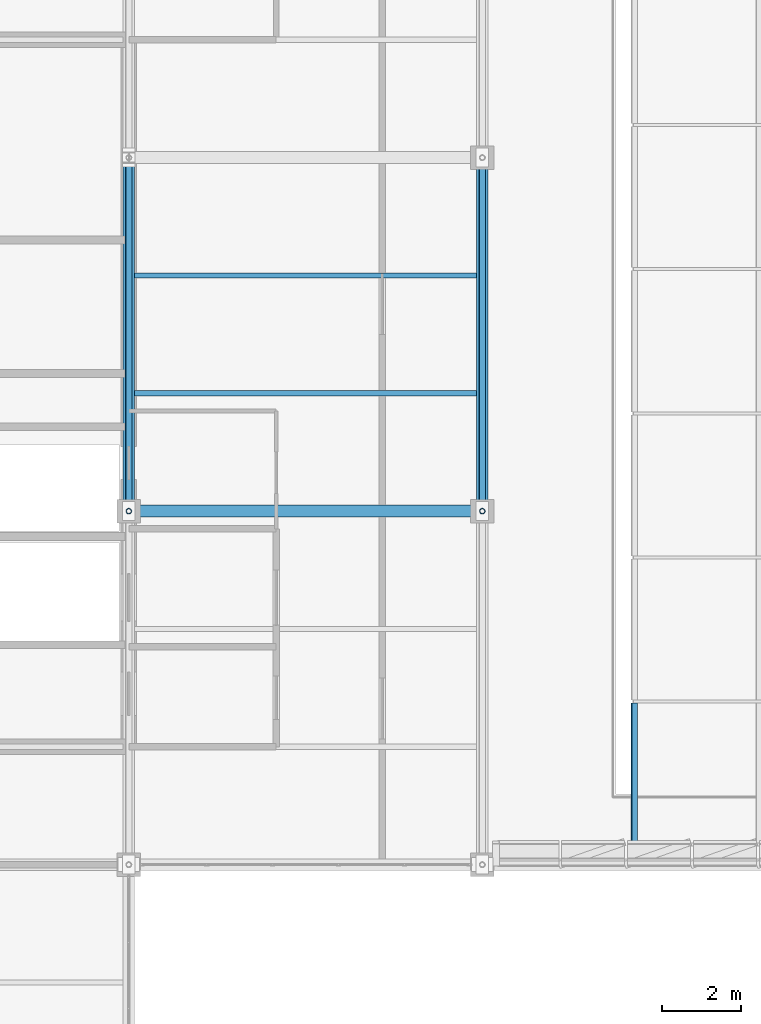
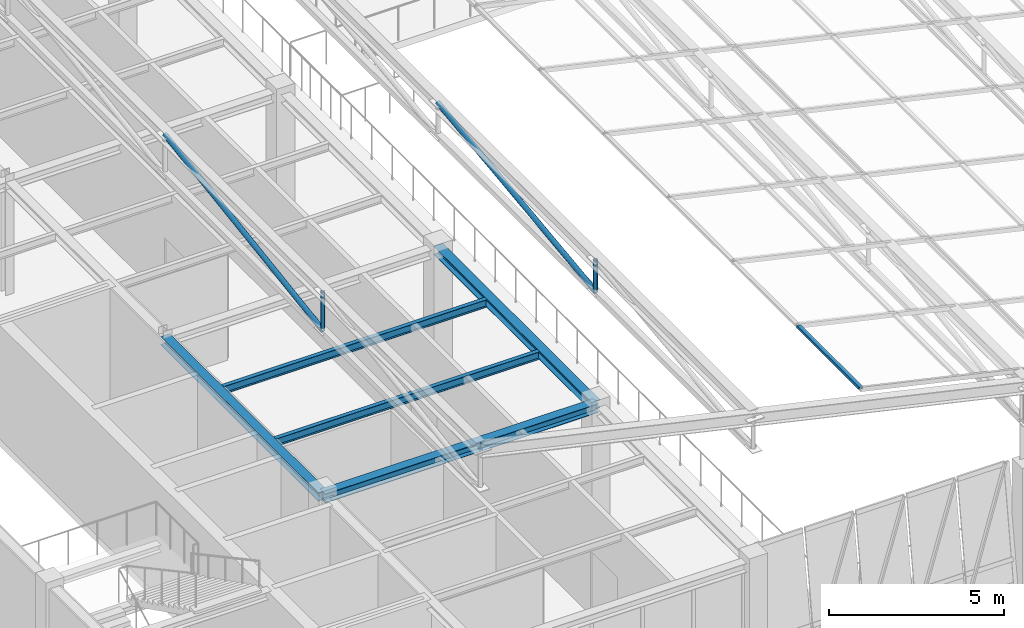
# One storey, part 62 of 130: 5 beams, 5 members, 1 element without a shape of its own.
"""IFC4 building model written with IfcOpenShell, lengths in metres."""

from ifc_helpers import new_model, si_unit, direction, frame, origin, origin_2d, place, context, subcontext, project, spatial, hollow_rectangle, hollow_circle, i_section, extrude, material, material_profile, profile_set, type_object, element, aggregate, save


model = new_model("IFC4")

# Units and contexts
model_context = context("Model", 3, precision=1e-05, world=origin(), true_north=direction((0.0, 1.0)))
body_context = subcontext(model_context, "Body", "Model", "MODEL_VIEW")
ifc_project = project(units=[si_unit("LENGTHUNIT", "METRE"), si_unit("AREAUNIT", "SQUARE_METRE"), si_unit("VOLUMEUNIT", "CUBIC_METRE"), si_unit("PLANEANGLEUNIT", "RADIAN"), si_unit("MASSUNIT", "GRAM", prefix="KILO")], contexts=[model_context])

# Site, building, storey
site_placement = place(None, origin())
site = spatial("IfcSite", under=ifc_project, at=site_placement, CompositionType="ELEMENT")
building_placement = place(site_placement, origin())
building = spatial("IfcBuilding", under=site, at=building_placement, Name="Lykobir Media Centre", CompositionType="ELEMENT")
storey_placement = place(building_placement, frame((0.0, 0.0, 19.199951171875)))
storey = spatial("IfcBuildingStorey", under=building, at=storey_placement, Name="L04", CompositionType="ELEMENT", Elevation=19.199951171875)

# Beams
ifc_material_1 = material(Name="Steel S355", Category="steel")
ifc_material_profile_1 = material_profile(ifc_material_1, i_section(OverallWidth=0.300048828125, OverallDepth=0.2900390625, WebThickness=0.008544921875, FlangeThickness=0.013916015625, at=origin_2d()), Name="HEA 300")
ifc_profile_set_1 = profile_set([ifc_material_profile_1], Name="Steel S355")
beam_type_1 = type_object("IfcBeamType", Name="BM-HEA300", PredefinedType="BEAM", material=ifc_profile_set_1)
for number, where, z_axis, x_axis, name in (
    (1, (36.0, 72.0, 3.81494140625), (0.0, 1.0, 0.0), (-1.0, 0.0, 0.0), "Beam BM-L04-0360-0720-0360-0810-2302"),
    (2, (45.0, 72.0, 3.81494140625), (0.0, 1.0, 0.0), (-1.0, 0.0, 0.0), "Beam BM-L04-0450-0720-0450-0810-2302"),
):
    element("IfcBeam", number, at=place(storey_placement, frame(where, z_axis=z_axis, x_axis=x_axis)), inside=storey, type_object=beam_type_1, Name=name, PredefinedType="BEAM", context=body_context, shape_type="SweptSolid", body=[
        extrude(i_section(OverallWidth=0.300048828125, OverallDepth=0.2900390625, WebThickness=0.008544921875, FlangeThickness=0.013916015625, at=origin_2d()), origin(), (0.0, 0.0, 1.0), 9.0),
    ])

# Members
ifc_material_profile_2 = material_profile(ifc_material_1, hollow_circle(Radius=0.06982421875, WallThickness=0.008056640625, at=origin_2d()), Name="CHS 139.7x8.0")
ifc_profile_set_2 = profile_set([ifc_material_profile_2], Name="Steel S355")
member_type_1 = type_object("IfcMemberType", Name="BR-CHS140", PredefinedType="BRACE", material=ifc_profile_set_2)
member_1_placement = place(storey_placement, frame((36.0, 72.0, 10.93994140625), z_axis=(0.0, 0.0, -1.0), x_axis=(1.0, 0.0, 0.0)))
element("IfcMember", 3, at=member_1_placement, inside=storey, type_object=member_type_1, Name="Diagonal brace MEM2-L04-0360-0720-0301-0360-0720-0435", PredefinedType="BRACE", context=body_context, shape_type="SweptSolid", body=[
    extrude(hollow_circle(Radius=0.06982421875, WallThickness=0.008056640625, at=origin_2d()), origin(), (0.0, 0.0, 1.0), 1.349853515625),
])
member_2_placement = place(storey_placement, frame((45.0, 72.0, 8.900146484375), z_axis=(0.0, 0.0, -1.0), x_axis=(1.0, 0.0, 0.0)))
element("IfcMember", 4, at=member_2_placement, inside=storey, type_object=member_type_1, Name="Diagonal brace MEM2-L04-0450-0720-0281-0450-0720-0448", PredefinedType="BRACE", context=body_context, shape_type="SweptSolid", body=[
    extrude(hollow_circle(Radius=0.06982421875, WallThickness=0.008056640625, at=origin_2d()), origin(), (0.0, 0.0, 1.0), 1.1201171875),
])
ifc_material_profile_3 = material_profile(ifc_material_1, hollow_circle(Radius=0.084228515625, WallThickness=0.010009765625, at=origin_2d()), Name="CHS 168.3x10.0")
ifc_profile_set_3 = profile_set([ifc_material_profile_3], Name="Steel S355")
member_type_2 = type_object("IfcMemberType", Name="BR-CHS168", PredefinedType="BRACE", material=ifc_profile_set_3)
member_3_placement = place(storey_placement, frame((36.0, 72.0, 9.590087890625), z_axis=(0.0, 0.988938714016, 0.148324711095), x_axis=(-1.0, 0.0, 0.0)))
element("IfcMember", 5, at=member_3_placement, inside=storey, type_object=member_type_2, Name="Diagonal brace MEM2-L04-0360-0720-0288-0360-0810-0436", PredefinedType="BRACE", context=body_context, shape_type="SweptSolid", body=[
    extrude(hollow_circle(Radius=0.084228515625, WallThickness=0.010009765625, at=origin_2d()), origin(), (0.0, 0.0, 1.0), 9.1005859375),
])
member_4_placement = place(storey_placement, frame((45.0, 72.0, 7.780029296875), z_axis=(0.0, 0.992343997404, 0.123504618601), x_axis=(-1.0, 0.0, 0.0)))
element("IfcMember", 6, at=member_4_placement, inside=storey, type_object=member_type_2, Name="Diagonal brace MEM2-L04-0450-0720-0270-0450-0810-0449", PredefinedType="BRACE", context=body_context, shape_type="SweptSolid", body=[
    extrude(hollow_circle(Radius=0.084228515625, WallThickness=0.010009765625, at=origin_2d()), origin(), (0.0, 0.0, 1.0), 9.0693359375),
])

# Curtain wall, member
ifc_material_2 = material(Name="Anodized Aluminium AW-6060", Category="aluminium")
curtain_wall_type = type_object("IfcCurtainWallType", Name="CW-V6-SKY", PredefinedType="NOTDEFINED", material=ifc_material_2)
curtain_wall_placement = place(storey_placement, origin())
curtain_wall = element("IfcCurtainWall", 7, at=curtain_wall_placement, inside=storey, type_object=curtain_wall_type, Name="Curtain wall CW-V6-SKY05", PredefinedType="NOTDEFINED")
ifc_material_profile_4 = material_profile(ifc_material_2, hollow_rectangle(XDim=0.074951171875, YDim=0.14990234375, WallThickness=0.00341796875, at=origin_2d()), Name="ALU TRANSOM 75x150")
ifc_profile_set_4 = profile_set([ifc_material_profile_4], Name="Anodized Aluminium AW-6060")
member_type_3 = type_object("IfcMemberType", Name="CWT-150", PredefinedType="USERDEFINED", material=ifc_profile_set_4)
member_5_placement = place(storey_placement, frame((48.871337890625, 67.112548828125, 8.178955078125), z_axis=(0.0, -1.0, 0.0), x_axis=(0.221054901821, 0.0, 0.975261365164)))
member_5 = element("IfcMember", 8, at=member_5_placement, type_object=member_type_3, Name="CW-V6-SKY05 transom 12.3", ObjectType="TRANSOM", PredefinedType="USERDEFINED", context=body_context, shape_type="SweptSolid", body=[
    extrude(hollow_rectangle(XDim=0.074951171875, YDim=0.14990234375, WallThickness=0.00341796875, at=origin_2d()), origin(), (0.0, 0.0, 1.0), 3.5576171875),
])
aggregate(curtain_wall, [member_5])

# Beams
ifc_material_profile_5 = material_profile(ifc_material_1, i_section(OverallWidth=0.135009765625, OverallDepth=0.27001953125, WebThickness=0.006591796875, FlangeThickness=0.01025390625, at=origin_2d()), Name="IPE 270")
ifc_profile_set_5 = profile_set([ifc_material_profile_5], Name="Steel S355")
beam_type_2 = type_object("IfcBeamType", Name="JS-IPE270", PredefinedType="JOIST", material=ifc_profile_set_5)
for number, where, z_axis, x_axis, name in (
    (9, (36.14990234375, 75.0, 3.824951171875), (1.0, 0.0, 0.0), (0.0, 1.0, 0.0), "Beam BM-L04-0362-0750-0448-0750-2302"),
    (10, (36.14990234375, 78.0, 3.824951171875), (1.0, 0.0, 0.0), (0.0, 1.0, 0.0), "Beam BM-L04-0362-0780-0448-0780-2302"),
):
    element("IfcBeam", number, at=place(storey_placement, frame(where, z_axis=z_axis, x_axis=x_axis)), inside=storey, type_object=beam_type_2, Name=name, PredefinedType="JOIST", context=body_context, shape_type="SweptSolid", body=[
        extrude(i_section(OverallWidth=0.135009765625, OverallDepth=0.27001953125, WebThickness=0.006591796875, FlangeThickness=0.01025390625, at=origin_2d()), origin(), (0.0, 0.0, 1.0), 8.7001953125),
    ])
ifc_material_profile_6 = material_profile(ifc_material_1, i_section(OverallWidth=0.300048828125, OverallDepth=0.31005859375, WebThickness=0.009033203125, FlangeThickness=0.015380859375, at=origin_2d()), Name="HEA 320")
ifc_profile_set_6 = profile_set([ifc_material_profile_6], Name="Steel S355")
beam_type_3 = type_object("IfcBeamType", Name="SP-HEA320", PredefinedType="SPANDREL", material=ifc_profile_set_6)
beam_placement = place(storey_placement, frame((36.0, 72.0, 3.804931640625), z_axis=(1.0, 0.0, 0.0), x_axis=(0.0, 1.0, 0.0)))
element("IfcBeam", 11, at=beam_placement, inside=storey, type_object=beam_type_3, Name="Beam BM-L04-0360-0720-0450-0720-2300", PredefinedType="SPANDREL", context=body_context, shape_type="SweptSolid", body=[
    extrude(i_section(OverallWidth=0.300048828125, OverallDepth=0.31005859375, WebThickness=0.009033203125, FlangeThickness=0.015380859375, at=origin_2d()), origin(), (0.0, 0.0, 1.0), 9.0),
])

save(model, "model.ifc")
